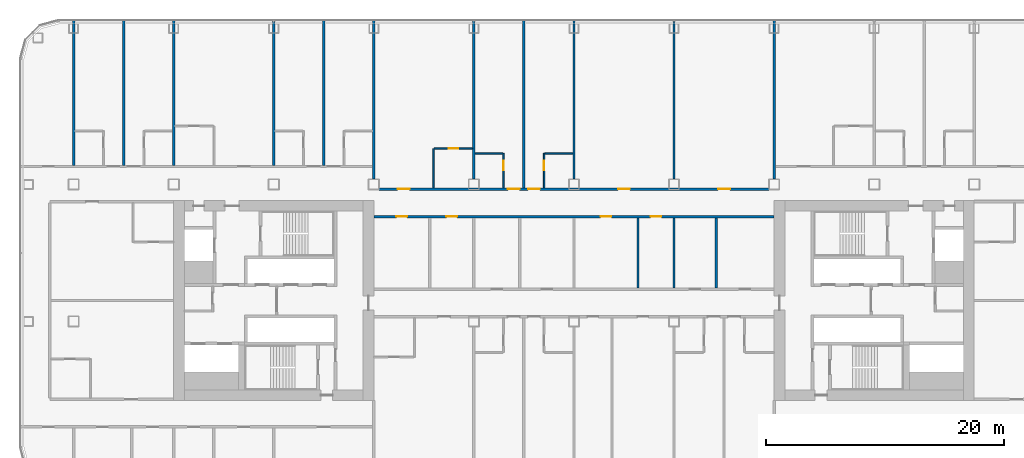
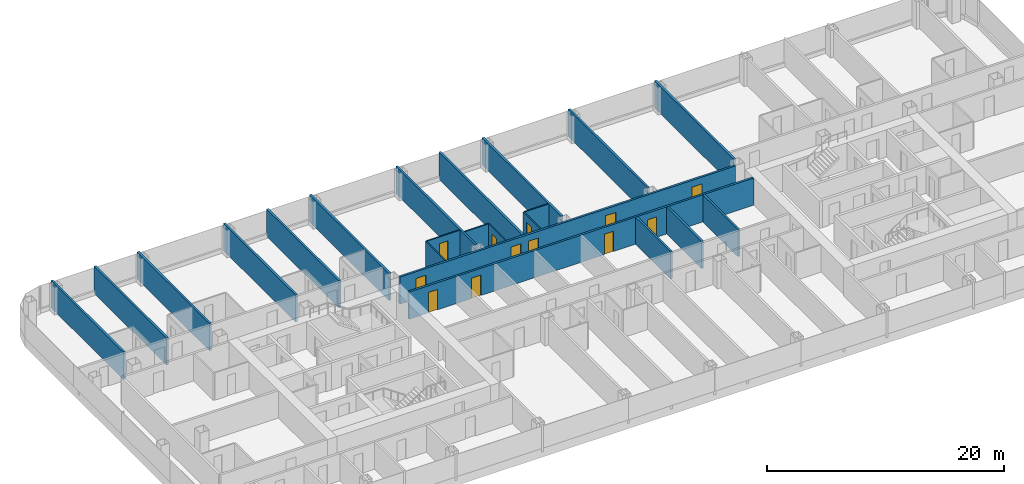
# One storey, part 18 of 29: 22 walls, 12 doors, 12 openings.
"""IFC4 building model written with IfcOpenShell, lengths in metres."""

from ifc_helpers import new_model, si_unit, direction, frame, frame_2d, origin, place, context, subcontext, project, spatial, rectangle, extrude, material, layer, layer_set, type_object, element, fill, save


model = new_model("IFC4")

# Units and contexts
model_context = context("Model", 3, precision=1e-05, world=origin(), true_north=direction((0.0, 1.0)))
body_context = subcontext(model_context, "Body", "Model", "MODEL_VIEW")
ifc_project = project(units=[si_unit("LENGTHUNIT", "METRE"), si_unit("AREAUNIT", "SQUARE_METRE"), si_unit("VOLUMEUNIT", "CUBIC_METRE"), si_unit("PLANEANGLEUNIT", "RADIAN"), si_unit("MASSUNIT", "GRAM", prefix="KILO")], contexts=[model_context])

# Site, building, storey
site_placement = place(None, origin())
site = spatial("IfcSite", under=ifc_project, at=site_placement, CompositionType="ELEMENT")
building_placement = place(site_placement, origin())
building = spatial("IfcBuilding", under=site, at=building_placement, Name="Hakoniwa Tower and Hamabe Station Hall", CompositionType="ELEMENT")
storey_placement = place(building_placement, frame((0.0, 0.0, 113.800048828125)))
storey = spatial("IfcBuildingStorey", under=building, at=storey_placement, Name="L32", CompositionType="ELEMENT", Elevation=113.800048828125)

# Walls
ifc_material_1 = material(Name="Gypsum board partition", Category="gypsum")
ifc_layer_1 = layer(ifc_material_1, 0.125)
ifc_layer_set_1 = layer_set([ifc_layer_1], Name="Bathroom Partition 125")
wall_type_1 = type_object("IfcWallType", Name="Bathroom Partition 125", PredefinedType="PARTITIONING", material=ifc_layer_set_1)
wall_1_placement = place(storey_placement, frame((-8.300048828125, 12.35009765625, 0.0), z_axis=(0.0, 0.0, 1.0), x_axis=(1.0, 0.0, 0.0)))
element("IfcWall", 1, at=wall_1_placement, inside=storey, type_object=wall_type_1, Name="GW-L32-024", PredefinedType="PARTITIONING", context=body_context, shape_type="SweptSolid", body=[
    extrude(rectangle(XDim=2.337646484375, YDim=0.125, at=frame_2d((1.1689453125, 0.0))), origin(), (0.0, 0.0, 1.0), 2.800048828125),
])
wall_2_placement = place(storey_placement, frame((-2.4375, 12.35009765625, 0.0), z_axis=(0.0, 0.0, 1.0), x_axis=(1.0, 0.0, 0.0)))
element("IfcWall", 2, at=wall_2_placement, inside=storey, type_object=wall_type_1, Name="GW-L32-025", PredefinedType="PARTITIONING", context=body_context, shape_type="SweptSolid", body=[
    extrude(rectangle(XDim=2.33740234375, YDim=0.125, at=frame_2d((1.168701171875, 0.0))), origin(), (0.0, 0.0, 1.0), 2.800048828125),
])

# Wall, opening, door
wall_3_placement = place(storey_placement, frame((-11.737548828125, 12.75, 0.0), z_axis=(0.0, 0.0, 1.0), x_axis=(1.0, 0.0, 0.0)))
wall_3 = element("IfcWall", 3, at=wall_3_placement, inside=storey, type_object=wall_type_1, Name="GW-L32-026", PredefinedType="PARTITIONING", context=body_context, shape_type="SweptSolid", body=[
    extrude(rectangle(XDim=3.237548828125, YDim=0.125, at=frame_2d((1.61865234375, 0.0))), origin(), (0.0, 0.0, 1.0), 2.800048828125),
])
opening_1_placement = place(wall_3_placement, frame((1.237548828125, 0.0, 0.0)))
opening_1 = element("IfcOpeningElement", 4, at=opening_1_placement, cuts=wall_3, Name="Opening GD-G2C2-52", PredefinedType="OPENING", context=body_context, shape_type="SweptSolid", body=[
    extrude(rectangle(XDim=0.800048828125, YDim=2.10009765625, at=frame_2d((0.39990234375, 1.050048828125))), frame((0.0, 0.072509765625, 0.0), z_axis=(0.0, -1.0, 0.0), x_axis=(1.0, 0.0, 0.0)), (0.0, 0.0, 1.0), 0.14501953125),
])
ifc_material_2 = material(Name="Timber door leaf", Category="wood")
door_type_1 = type_object("IfcDoorType", Name="Bathroom Door 800", OperationType="SINGLE_SWING_LEFT", PredefinedType="DOOR", material=ifc_material_2)
door_1_placement = place(opening_1_placement, origin())
door_1 = element("IfcDoor", 5, at=door_1_placement, inside=storey, type_object=door_type_1, Name="Door GD-G2C2-52", OperationType="SINGLE_SWING_RIGHT", OverallHeight=2.10009765625, OverallWidth=0.800048828125, PredefinedType="DOOR", context=body_context, shape_type="SweptSolid", body=[
    extrude(rectangle(XDim=0.800048828125, YDim=2.10009765625, at=frame_2d((0.39990234375, 1.050048828125))), frame((0.0, 0.02490234375, 0.0), z_axis=(0.0, -1.0, 0.0), x_axis=(1.0, 0.0, 0.0)), (0.0, 0.0, 1.0), 0.050048828125),
])
fill(opening_1, door_1)

# Wall
wall_4_placement = place(storey_placement, frame((-11.800048828125, 9.449951171875, 0.0), z_axis=(0.0, 0.0, 1.0), x_axis=(0.0, 1.0, 0.0)))
element("IfcWall", 6, at=wall_4_placement, inside=storey, type_object=wall_type_1, Name="GW-L32-058", PredefinedType="PARTITIONING", context=body_context, shape_type="SweptSolid", body=[
    extrude(rectangle(XDim=3.300048828125, YDim=0.125, at=frame_2d((1.64990234375, 0.0))), origin(), (0.0, 0.0, 1.0), 2.800048828125),
])

# Wall, opening, door
wall_5_placement = place(storey_placement, frame((-5.89990234375, 9.449951171875, 0.0), z_axis=(0.0, 0.0, 1.0), x_axis=(0.0, 1.0, 0.0)))
wall_5 = element("IfcWall", 7, at=wall_5_placement, inside=storey, type_object=wall_type_1, Name="GW-L32-063", PredefinedType="PARTITIONING", context=body_context, shape_type="SweptSolid", body=[
    extrude(rectangle(XDim=2.900146484375, YDim=0.125, at=frame_2d((1.4501953125, 0.0))), origin(), (0.0, 0.0, 1.0), 2.800048828125),
])
opening_2_placement = place(wall_5_placement, frame((1.5, 0.0, 0.0)))
opening_2 = element("IfcOpeningElement", 8, at=opening_2_placement, cuts=wall_5, Name="Opening GD-G2C2-61", PredefinedType="OPENING", context=body_context, shape_type="SweptSolid", body=[
    extrude(rectangle(XDim=0.800048828125, YDim=2.10009765625, at=frame_2d((0.39990234375, 1.050048828125))), frame((0.0, 0.072509765625, 0.0), z_axis=(0.0, -1.0, 0.0), x_axis=(1.0, 0.0, 0.0)), (0.0, 0.0, 1.0), 0.14501953125),
])
door_2_placement = place(opening_2_placement, origin())
door_2 = element("IfcDoor", 9, at=door_2_placement, inside=storey, type_object=door_type_1, Name="Door GD-G2C2-61", OperationType="SINGLE_SWING_LEFT", OverallHeight=2.10009765625, OverallWidth=0.800048828125, PredefinedType="DOOR", context=body_context, shape_type="SweptSolid", body=[
    extrude(rectangle(XDim=0.800048828125, YDim=2.10009765625, at=frame_2d((0.39990234375, 1.050048828125))), frame((0.0, 0.02490234375, 0.0), z_axis=(0.0, -1.0, 0.0), x_axis=(1.0, 0.0, 0.0)), (0.0, 0.0, 1.0), 0.050048828125),
])
fill(opening_2, door_2)

wall_6_placement = place(storey_placement, frame((-2.5, 9.449951171875, 0.0), z_axis=(0.0, 0.0, 1.0), x_axis=(0.0, 1.0, 0.0)))
wall_6 = element("IfcWall", 10, at=wall_6_placement, inside=storey, type_object=wall_type_1, Name="GW-L32-068", PredefinedType="PARTITIONING", context=body_context, shape_type="SweptSolid", body=[
    extrude(rectangle(XDim=2.900146484375, YDim=0.125, at=frame_2d((1.4501953125, 0.0))), origin(), (0.0, 0.0, 1.0), 2.800048828125),
])
opening_3_placement = place(wall_6_placement, frame((1.5, 0.0, 0.0)))
opening_3 = element("IfcOpeningElement", 11, at=opening_3_placement, cuts=wall_6, Name="Opening GD-G2C2-63", PredefinedType="OPENING", context=body_context, shape_type="SweptSolid", body=[
    extrude(rectangle(XDim=0.800048828125, YDim=2.10009765625, at=frame_2d((0.39990234375, 1.050048828125))), frame((0.0, 0.072509765625, 0.0), z_axis=(0.0, -1.0, 0.0), x_axis=(1.0, 0.0, 0.0)), (0.0, 0.0, 1.0), 0.14501953125),
])
door_3_placement = place(opening_3_placement, origin())
door_3 = element("IfcDoor", 12, at=door_3_placement, inside=storey, type_object=door_type_1, Name="Door GD-G2C2-63", OperationType="SINGLE_SWING_RIGHT", OverallHeight=2.10009765625, OverallWidth=0.800048828125, PredefinedType="DOOR", context=body_context, shape_type="SweptSolid", body=[
    extrude(rectangle(XDim=0.800048828125, YDim=2.10009765625, at=frame_2d((0.39990234375, 1.050048828125))), frame((0.0, 0.02490234375, 0.0), z_axis=(0.0, -1.0, 0.0), x_axis=(1.0, 0.0, 0.0)), (0.0, 0.0, 1.0), 0.050048828125),
])
fill(opening_3, door_3)

# Wall, openings, doors
ifc_material_3 = material(Name="Fire-rated gypsum board partition", Category="gypsum")
ifc_layer_2 = layer(ifc_material_3, 0.199951171875)
ifc_layer_set_2 = layer_set([ifc_layer_2], Name="Corridor Wall 200")
wall_type_2 = type_object("IfcWallType", Name="Corridor Wall 200", PredefinedType="PARTITIONING", material=ifc_layer_set_2)
wall_7_placement = place(storey_placement, frame((-16.800048828125, 7.050048828125, 0.0), z_axis=(0.0, 0.0, 1.0), x_axis=(1.0, 0.0, 0.0)))
wall_7 = element("IfcWall", 13, at=wall_7_placement, inside=storey, type_object=wall_type_2, Name="GW-L32-018", PredefinedType="PARTITIONING", context=body_context, shape_type="SweptSolid", body=[
    extrude(rectangle(XDim=33.60009765625, YDim=0.199951171875, at=frame_2d((16.800048828125, 0.0))), origin(), (0.0, 0.0, 1.0), 2.800048828125),
])
opening_4_placement = place(wall_7_placement, frame((1.89990234375, 0.0, 0.0)))
opening_4 = element("IfcOpeningElement", 14, at=opening_4_placement, cuts=wall_7, Name="Opening GD-G2C2-30", PredefinedType="OPENING", context=body_context, shape_type="SweptSolid", body=[
    extrude(rectangle(XDim=0.89990234375, YDim=2.10009765625, at=frame_2d((0.449951171875, 1.050048828125))), frame((0.0, 0.10986328125, 0.0), z_axis=(0.0, -1.0, 0.0), x_axis=(1.0, 0.0, 0.0)), (0.0, 0.0, 1.0), 0.219970703125),
])
opening_5_placement = place(wall_7_placement, frame((6.10009765625, 0.0, 0.0)))
opening_5 = element("IfcOpeningElement", 15, at=opening_5_placement, cuts=wall_7, Name="Opening GD-G2C2-31", PredefinedType="OPENING", context=body_context, shape_type="SweptSolid", body=[
    extrude(rectangle(XDim=0.89990234375, YDim=2.10009765625, at=frame_2d((0.449951171875, 1.050048828125))), frame((0.0, 0.10986328125, 0.0), z_axis=(0.0, -1.0, 0.0), x_axis=(1.0, 0.0, 0.0)), (0.0, 0.0, 1.0), 0.219970703125),
])
opening_6_placement = place(wall_7_placement, frame((19.0400390625, 0.0, 0.0)))
opening_6 = element("IfcOpeningElement", 16, at=opening_6_placement, cuts=wall_7, Name="Opening GD-G2C2-32", PredefinedType="OPENING", context=body_context, shape_type="SweptSolid", body=[
    extrude(rectangle(XDim=0.89990234375, YDim=2.10009765625, at=frame_2d((0.449951171875, 1.050048828125))), frame((0.0, 0.10986328125, 0.0), z_axis=(0.0, -1.0, 0.0), x_axis=(1.0, 0.0, 0.0)), (0.0, 0.0, 1.0), 0.219970703125),
])
opening_7_placement = place(wall_7_placement, frame((23.239990234375, 0.0, 0.0)))
opening_7 = element("IfcOpeningElement", 17, at=opening_7_placement, cuts=wall_7, Name="Opening GD-G2C2-33", PredefinedType="OPENING", context=body_context, shape_type="SweptSolid", body=[
    extrude(rectangle(XDim=0.89990234375, YDim=2.10009765625, at=frame_2d((0.449951171875, 1.050048828125))), frame((0.0, 0.10986328125, 0.0), z_axis=(0.0, -1.0, 0.0), x_axis=(1.0, 0.0, 0.0)), (0.0, 0.0, 1.0), 0.219970703125),
])
ifc_material_4 = material(Name="Timber door leaf", Category="wood")
door_type_2 = type_object("IfcDoorType", Name="Service Door 900", OperationType="SINGLE_SWING_LEFT", PredefinedType="DOOR", material=ifc_material_4)
door_4_placement = place(opening_4_placement, origin())
door_4 = element("IfcDoor", 18, at=door_4_placement, inside=storey, type_object=door_type_2, Name="Door GD-G2C2-30", OperationType="SINGLE_SWING_RIGHT", OverallHeight=2.10009765625, OverallWidth=0.89990234375, PredefinedType="DOOR", context=body_context, shape_type="SweptSolid", body=[
    extrude(rectangle(XDim=0.89990234375, YDim=2.10009765625, at=frame_2d((0.449951171875, 1.050048828125))), frame((0.0, 0.02490234375, 0.0), z_axis=(0.0, -1.0, 0.0), x_axis=(1.0, 0.0, 0.0)), (0.0, 0.0, 1.0), 0.050048828125),
])
fill(opening_4, door_4)
door_5_placement = place(opening_5_placement, origin())
door_5 = element("IfcDoor", 19, at=door_5_placement, inside=storey, type_object=door_type_2, Name="Door GD-G2C2-31", OperationType="SINGLE_SWING_LEFT", OverallHeight=2.10009765625, OverallWidth=0.89990234375, PredefinedType="DOOR", context=body_context, shape_type="SweptSolid", body=[
    extrude(rectangle(XDim=0.89990234375, YDim=2.10009765625, at=frame_2d((0.449951171875, 1.050048828125))), frame((0.0, 0.02490234375, 0.0), z_axis=(0.0, -1.0, 0.0), x_axis=(1.0, 0.0, 0.0)), (0.0, 0.0, 1.0), 0.050048828125),
])
fill(opening_5, door_5)
door_6_placement = place(opening_6_placement, origin())
door_6 = element("IfcDoor", 20, at=door_6_placement, inside=storey, type_object=door_type_2, Name="Door GD-G2C2-32", OperationType="SINGLE_SWING_RIGHT", OverallHeight=2.10009765625, OverallWidth=0.89990234375, PredefinedType="DOOR", context=body_context, shape_type="SweptSolid", body=[
    extrude(rectangle(XDim=0.89990234375, YDim=2.10009765625, at=frame_2d((0.449951171875, 1.050048828125))), frame((0.0, 0.02490234375, 0.0), z_axis=(0.0, -1.0, 0.0), x_axis=(1.0, 0.0, 0.0)), (0.0, 0.0, 1.0), 0.050048828125),
])
fill(opening_6, door_6)
door_7_placement = place(opening_7_placement, origin())
door_7 = element("IfcDoor", 21, at=door_7_placement, inside=storey, type_object=door_type_2, Name="Door GD-G2C2-33", OperationType="SINGLE_SWING_LEFT", OverallHeight=2.10009765625, OverallWidth=0.89990234375, PredefinedType="DOOR", context=body_context, shape_type="SweptSolid", body=[
    extrude(rectangle(XDim=0.89990234375, YDim=2.10009765625, at=frame_2d((0.449951171875, 1.050048828125))), frame((0.0, 0.02490234375, 0.0), z_axis=(0.0, -1.0, 0.0), x_axis=(1.0, 0.0, 0.0)), (0.0, 0.0, 1.0), 0.050048828125),
])
fill(opening_7, door_7)

wall_8_placement = place(storey_placement, frame((-16.360107421875, 9.35009765625, 0.0), z_axis=(0.0, 0.0, 1.0), x_axis=(1.0, 0.0, 0.0)))
wall_8 = element("IfcWall", 22, at=wall_8_placement, inside=storey, type_object=wall_type_2, Name="GW-L32-021", PredefinedType="PARTITIONING", context=body_context, shape_type="SweptSolid", body=[
    extrude(rectangle(XDim=32.72021484375, YDim=0.199951171875, at=frame_2d((16.360107421875, 0.0))), origin(), (0.0, 0.0, 1.0), 2.800048828125),
])
opening_8_placement = place(wall_8_placement, frame((1.56005859375, 0.0, 0.0)))
opening_8 = element("IfcOpeningElement", 23, at=opening_8_placement, cuts=wall_8, Name="Opening GD-G2C2-36", PredefinedType="OPENING", context=body_context, shape_type="SweptSolid", body=[
    extrude(rectangle(XDim=1.0, YDim=2.10009765625, at=frame_2d((0.5, 1.050048828125))), frame((0.0, 0.10986328125, 0.0), z_axis=(0.0, -1.0, 0.0), x_axis=(1.0, 0.0, 0.0)), (0.0, 0.0, 1.0), 0.219970703125),
])
opening_9_placement = place(wall_8_placement, frame((10.81005859375, 0.0, 0.0)))
opening_9 = element("IfcOpeningElement", 24, at=opening_9_placement, cuts=wall_8, Name="Opening GD-G2C2-37", PredefinedType="OPENING", context=body_context, shape_type="SweptSolid", body=[
    extrude(rectangle(XDim=1.0, YDim=2.10009765625, at=frame_2d((0.5, 1.050048828125))), frame((0.0, 0.10986328125, 0.0), z_axis=(0.0, -1.0, 0.0), x_axis=(1.0, 0.0, 0.0)), (0.0, 0.0, 1.0), 0.219970703125),
])
opening_10_placement = place(wall_8_placement, frame((12.510009765625, 0.0, 0.0)))
opening_10 = element("IfcOpeningElement", 25, at=opening_10_placement, cuts=wall_8, Name="Opening GD-G2C2-38", PredefinedType="OPENING", context=body_context, shape_type="SweptSolid", body=[
    extrude(rectangle(XDim=1.0, YDim=2.10009765625, at=frame_2d((0.5, 1.050048828125))), frame((0.0, 0.10986328125, 0.0), z_axis=(0.0, -1.0, 0.0), x_axis=(1.0, 0.0, 0.0)), (0.0, 0.0, 1.0), 0.219970703125),
])
opening_11_placement = place(wall_8_placement, frame((20.06005859375, 0.0, 0.0)))
opening_11 = element("IfcOpeningElement", 26, at=opening_11_placement, cuts=wall_8, Name="Opening GD-G2C2-39", PredefinedType="OPENING", context=body_context, shape_type="SweptSolid", body=[
    extrude(rectangle(XDim=1.0, YDim=2.10009765625, at=frame_2d((0.5, 1.050048828125))), frame((0.0, 0.10986328125, 0.0), z_axis=(0.0, -1.0, 0.0), x_axis=(1.0, 0.0, 0.0)), (0.0, 0.0, 1.0), 0.219970703125),
])
opening_12_placement = place(wall_8_placement, frame((28.4599609375, 0.0, 0.0)))
opening_12 = element("IfcOpeningElement", 27, at=opening_12_placement, cuts=wall_8, Name="Opening GD-G2C2-40", PredefinedType="OPENING", context=body_context, shape_type="SweptSolid", body=[
    extrude(rectangle(XDim=1.0, YDim=2.10009765625, at=frame_2d((0.5, 1.050048828125))), frame((0.0, 0.10986328125, 0.0), z_axis=(0.0, -1.0, 0.0), x_axis=(1.0, 0.0, 0.0)), (0.0, 0.0, 1.0), 0.219970703125),
])
ifc_material_5 = material(Name="Timber door leaf", Category="wood")
door_type_3 = type_object("IfcDoorType", Name="Guest Entrance Door 1000", OperationType="SINGLE_SWING_LEFT", PredefinedType="DOOR", material=ifc_material_5)
door_8_placement = place(opening_8_placement, origin())
door_8 = element("IfcDoor", 28, at=door_8_placement, inside=storey, type_object=door_type_3, Name="Door GD-G2C2-36", OperationType="SINGLE_SWING_LEFT", OverallHeight=2.10009765625, OverallWidth=1.0, PredefinedType="DOOR", context=body_context, shape_type="SweptSolid", body=[
    extrude(rectangle(XDim=1.0, YDim=2.10009765625, at=frame_2d((0.5, 1.050048828125))), frame((0.0, 0.02490234375, 0.0), z_axis=(0.0, -1.0, 0.0), x_axis=(1.0, 0.0, 0.0)), (0.0, 0.0, 1.0), 0.050048828125),
])
fill(opening_8, door_8)
door_9_placement = place(opening_9_placement, origin())
door_9 = element("IfcDoor", 29, at=door_9_placement, inside=storey, type_object=door_type_3, Name="Door GD-G2C2-37", OperationType="SINGLE_SWING_RIGHT", OverallHeight=2.10009765625, OverallWidth=1.0, PredefinedType="DOOR", context=body_context, shape_type="SweptSolid", body=[
    extrude(rectangle(XDim=1.0, YDim=2.10009765625, at=frame_2d((0.5, 1.050048828125))), frame((0.0, 0.02490234375, 0.0), z_axis=(0.0, -1.0, 0.0), x_axis=(1.0, 0.0, 0.0)), (0.0, 0.0, 1.0), 0.050048828125),
])
fill(opening_9, door_9)
door_10_placement = place(opening_10_placement, origin())
door_10 = element("IfcDoor", 30, at=door_10_placement, inside=storey, type_object=door_type_3, Name="Door GD-G2C2-38", OperationType="SINGLE_SWING_LEFT", OverallHeight=2.10009765625, OverallWidth=1.0, PredefinedType="DOOR", context=body_context, shape_type="SweptSolid", body=[
    extrude(rectangle(XDim=1.0, YDim=2.10009765625, at=frame_2d((0.5, 1.050048828125))), frame((0.0, 0.02490234375, 0.0), z_axis=(0.0, -1.0, 0.0), x_axis=(1.0, 0.0, 0.0)), (0.0, 0.0, 1.0), 0.050048828125),
])
fill(opening_10, door_10)
door_11_placement = place(opening_11_placement, origin())
door_11 = element("IfcDoor", 31, at=door_11_placement, inside=storey, type_object=door_type_3, Name="Door GD-G2C2-39", OperationType="SINGLE_SWING_RIGHT", OverallHeight=2.10009765625, OverallWidth=1.0, PredefinedType="DOOR", context=body_context, shape_type="SweptSolid", body=[
    extrude(rectangle(XDim=1.0, YDim=2.10009765625, at=frame_2d((0.5, 1.050048828125))), frame((0.0, 0.02490234375, 0.0), z_axis=(0.0, -1.0, 0.0), x_axis=(1.0, 0.0, 0.0)), (0.0, 0.0, 1.0), 0.050048828125),
])
fill(opening_11, door_11)
door_12_placement = place(opening_12_placement, origin())
door_12 = element("IfcDoor", 32, at=door_12_placement, inside=storey, type_object=door_type_3, Name="Door GD-G2C2-40", OperationType="SINGLE_SWING_RIGHT", OverallHeight=2.10009765625, OverallWidth=1.0, PredefinedType="DOOR", context=body_context, shape_type="SweptSolid", body=[
    extrude(rectangle(XDim=1.0, YDim=2.10009765625, at=frame_2d((0.5, 1.050048828125))), frame((0.0, 0.02490234375, 0.0), z_axis=(0.0, -1.0, 0.0), x_axis=(1.0, 0.0, 0.0)), (0.0, 0.0, 1.0), 0.050048828125),
])
fill(opening_12, door_12)

# Walls
ifc_material_6 = material(Name="Fire-rated gypsum board partition", Category="gypsum")
ifc_layer_3 = layer(ifc_material_6, 0.199951171875)
ifc_layer_set_3 = layer_set([ifc_layer_3], Name="Party Wall 200")
wall_type_3 = type_object("IfcWallType", Name="Party Wall 200", PredefinedType="PARTITIONING", material=ifc_layer_set_3)
for number, where, z_axis, x_axis, name in (
    (33, (-42.0, 11.35009765625, 0.0), (0.0, 0.0, 1.0), (0.0, 1.0, 0.0), "GW-L32-038"),
    (34, (-37.800048828125, 11.35009765625, 0.0), (0.0, 0.0, 1.0), (0.0, 1.0, 0.0), "GW-L32-041"),
    (35, (-33.60009765625, 11.35009765625, 0.0), (0.0, 0.0, 1.0), (0.0, 1.0, 0.0), "GW-L32-046"),
    (36, (-25.199951171875, 11.35009765625, 0.0), (0.0, 0.0, 1.0), (0.0, 1.0, 0.0), "GW-L32-050"),
    (37, (-21.0, 11.35009765625, 0.0), (0.0, 0.0, 1.0), (0.0, 1.0, 0.0), "GW-L32-052"),
):
    element("IfcWall", number, at=place(storey_placement, frame(where, z_axis=z_axis, x_axis=x_axis)), inside=storey, type_object=wall_type_3, Name=name, PredefinedType="PARTITIONING", context=body_context, shape_type="SweptSolid", body=[
        extrude(rectangle(XDim=12.199951171875, YDim=0.199951171875, at=frame_2d((6.10009765625, 0.0))), origin(), (0.0, 0.0, 1.0), 2.800048828125),
    ])
for number, where, z_axis, x_axis, name in (
    (38, (-16.800048828125, 10.18994140625, 0.0), (0.0, 0.0, 1.0), (0.0, 1.0, 0.0), "GW-L32-055"),
    (39, (-8.39990234375, 10.18994140625, 0.0), (0.0, 0.0, 1.0), (0.0, 1.0, 0.0), "GW-L32-061"),
):
    element("IfcWall", number, at=place(storey_placement, frame(where, z_axis=z_axis, x_axis=x_axis)), inside=storey, type_object=wall_type_3, Name=name, PredefinedType="PARTITIONING", context=body_context, shape_type="SweptSolid", body=[
        extrude(rectangle(XDim=13.360107421875, YDim=0.199951171875, at=frame_2d((6.68017578125, 0.0))), origin(), (0.0, 0.0, 1.0), 2.800048828125),
    ])
wall_9_placement = place(storey_placement, frame((-4.199951171875, 9.449951171875, 0.0), z_axis=(0.0, 0.0, 1.0), x_axis=(0.0, 1.0, 0.0)))
element("IfcWall", 40, at=wall_9_placement, inside=storey, type_object=wall_type_3, Name="GW-L32-066", PredefinedType="PARTITIONING", context=body_context, shape_type="SweptSolid", body=[
    extrude(rectangle(XDim=14.10009765625, YDim=0.199951171875, at=frame_2d((7.050048828125, 0.0))), origin(), (0.0, 0.0, 1.0), 2.800048828125),
])
wall_10_placement = place(storey_placement, frame((0.0, 10.18994140625, 0.0), z_axis=(0.0, 0.0, 1.0), x_axis=(0.0, 1.0, 0.0)))
element("IfcWall", 41, at=wall_10_placement, inside=storey, type_object=wall_type_3, Name="GW-L32-071", PredefinedType="PARTITIONING", context=body_context, shape_type="SweptSolid", body=[
    extrude(rectangle(XDim=13.360107421875, YDim=0.199951171875, at=frame_2d((6.68017578125, 0.0))), origin(), (0.0, 0.0, 1.0), 2.800048828125),
])
for number, where, z_axis, x_axis, name in (
    (42, (5.3798828125, 1.050048828125, 0.0), (0.0, 0.0, 1.0), (0.0, 1.0, 0.0), "GW-L32-073"),
    (43, (8.39990234375, 1.050048828125, 0.0), (0.0, 0.0, 1.0), (0.0, 1.0, 0.0), "GW-L32-075"),
):
    element("IfcWall", number, at=place(storey_placement, frame(where, z_axis=z_axis, x_axis=x_axis)), inside=storey, type_object=wall_type_3, Name=name, PredefinedType="PARTITIONING", context=body_context, shape_type="SweptSolid", body=[
        extrude(rectangle(XDim=5.89990234375, YDim=0.199951171875, at=frame_2d((2.949951171875, 0.0))), origin(), (0.0, 0.0, 1.0), 2.800048828125),
    ])
wall_11_placement = place(storey_placement, frame((8.39990234375, 10.18994140625, 0.0), z_axis=(0.0, 0.0, 1.0), x_axis=(0.0, 1.0, 0.0)))
element("IfcWall", 44, at=wall_11_placement, inside=storey, type_object=wall_type_3, Name="GW-L32-076", PredefinedType="PARTITIONING", context=body_context, shape_type="SweptSolid", body=[
    extrude(rectangle(XDim=13.360107421875, YDim=0.199951171875, at=frame_2d((6.68017578125, 0.0))), origin(), (0.0, 0.0, 1.0), 2.800048828125),
])
wall_12_placement = place(storey_placement, frame((11.929931640625, 1.050048828125, 0.0), z_axis=(0.0, 0.0, 1.0), x_axis=(0.0, 1.0, 0.0)))
element("IfcWall", 45, at=wall_12_placement, inside=storey, type_object=wall_type_3, Name="GW-L32-078", PredefinedType="PARTITIONING", context=body_context, shape_type="SweptSolid", body=[
    extrude(rectangle(XDim=5.89990234375, YDim=0.199951171875, at=frame_2d((2.949951171875, 0.0))), origin(), (0.0, 0.0, 1.0), 2.800048828125),
])
wall_13_placement = place(storey_placement, frame((16.800048828125, 10.18994140625, 0.0), z_axis=(0.0, 0.0, 1.0), x_axis=(0.0, 1.0, 0.0)))
element("IfcWall", 46, at=wall_13_placement, inside=storey, type_object=wall_type_3, Name="GW-L32-082", PredefinedType="PARTITIONING", context=body_context, shape_type="SweptSolid", body=[
    extrude(rectangle(XDim=13.360107421875, YDim=0.199951171875, at=frame_2d((6.68017578125, 0.0))), origin(), (0.0, 0.0, 1.0), 2.800048828125),
])

save(model, "model.ifc")
